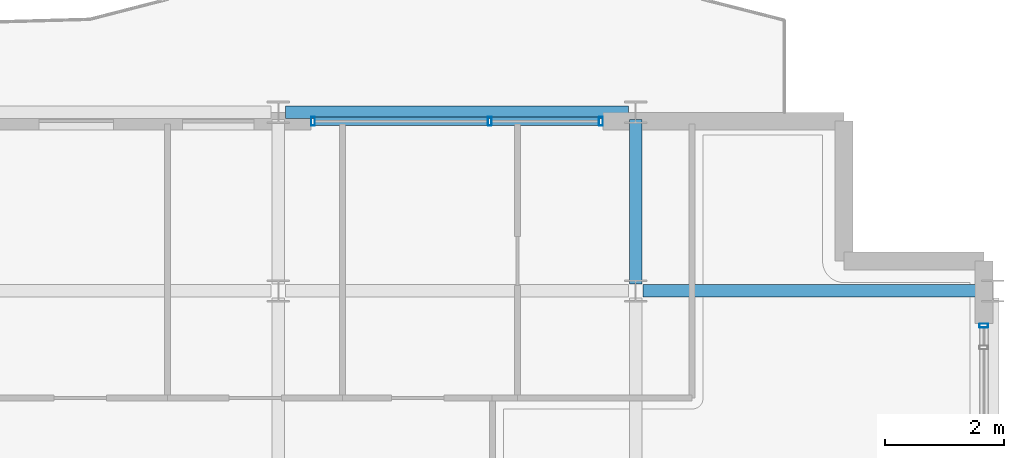
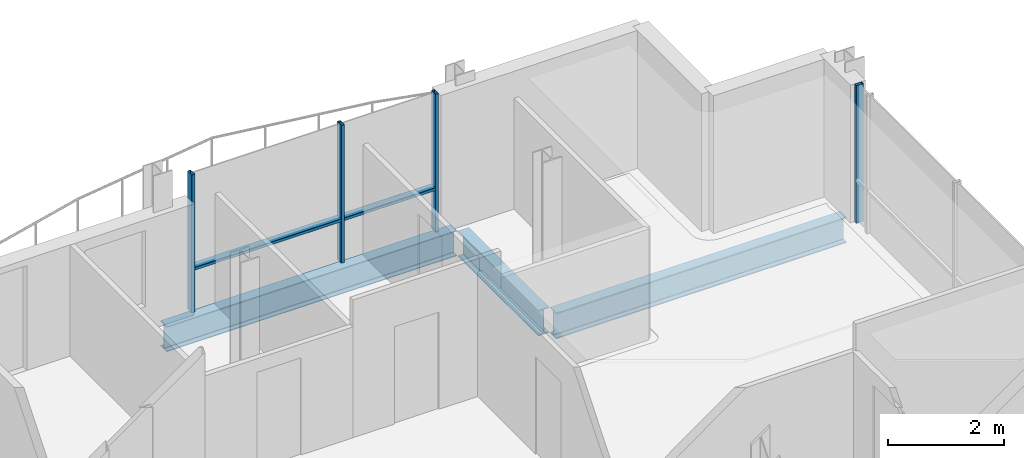
# One storey, part 15 of 29: 6 members, 3 beams, 2 elements without a shape of their own.
"""IFC4 building model written with IfcOpenShell, lengths in metres."""

import ifcopenshell
import ifcopenshell.guid

model = None  # the IFC model being written
_history = None  # IfcOwnerHistory: only IFC2X3 demands one
_inside = {}  # id of a spatial element -> (the spatial element, [elements in it])
_under = {}  # id of a project, library or spatial element -> (it, [spatial elements below it])
_declared = {}  # id of a project -> (the project, [libraries it declares])
_typed = {}  # id of a type object -> (the type object, [elements of that type])
_made_of = {}  # id of a material, layer set ... -> (it, [elements and type objects made of it])


def new_model(schema):
    """Start an empty IFC model of exactly this schema.

    Asked for "IFC4X3", IfcOpenShell would pick the latest addendum, in which some entities
    have other attributes; the version numbers below select the first issue.
    IFC2X3 requires an IfcOwnerHistory on every rooted entity: one is made here for all.
    """
    global model, _history
    if schema == "IFC4X3":
        model = ifcopenshell.file(schema_version=(4, 3, 0, 0))
    else:
        model = ifcopenshell.file(schema=schema)
    _inside.clear()
    _under.clear()
    _declared.clear()
    _typed.clear()
    _made_of.clear()
    _history = None
    if model.schema == "IFC2X3":
        org = make("IfcOrganization", Name="unknown")
        user = make(
            "IfcPersonAndOrganization",
            ThePerson=make("IfcPerson", FamilyName="unknown"),
            TheOrganization=org,
        )
        app = make(
            "IfcApplication",
            ApplicationDeveloper=org,
            Version="unknown",
            ApplicationFullName="unknown",
            ApplicationIdentifier="unknown",
        )
        _history = make(
            "IfcOwnerHistory",
            OwningUser=user,
            OwningApplication=app,
            ChangeAction="ADDED",
            CreationDate=0,
        )
    return model


def make(cls, **values):
    """One entity of the class cls with the attributes given. An attribute that is None is left unset."""
    return model.create_entity(
        cls, **{name: value for name, value in values.items() if value is not None}
    )


def rooted(cls, **values):
    """An entity with a GlobalId (a new one), such as an element, a storey or a relation."""
    return make(cls, GlobalId=ifcopenshell.guid.new(), OwnerHistory=_history, **values)


def si_unit(unit_type, name, prefix=None):
    """IfcSIUnit, for example si_unit("LENGTHUNIT", "METRE", prefix="MILLI")."""
    return make("IfcSIUnit", UnitType=unit_type, Prefix=prefix, Name=name)


def assignment(units):
    """IfcUnitAssignment: the units of a project."""
    return None if units is None else make("IfcUnitAssignment", Units=units)


def point(xyz):
    """IfcCartesianPoint."""
    return None if xyz is None else make("IfcCartesianPoint", Coordinates=xyz)


def direction(xyz):
    """IfcDirection."""
    return None if xyz is None else make("IfcDirection", DirectionRatios=xyz)


def frame(location, z_axis=None, x_axis=None):
    """IfcAxis2Placement3D, a coordinate frame: its origin and axes. An axis left out is left unset."""
    return make(
        "IfcAxis2Placement3D",
        Location=point(location),
        Axis=direction(z_axis),
        RefDirection=direction(x_axis),
    )


def frame_2d(location, x_axis=None):
    """IfcAxis2Placement2D, a coordinate frame in the plane: its origin and x axis."""
    return make(
        "IfcAxis2Placement2D", Location=point(location), RefDirection=direction(x_axis)
    )


def origin():
    """The frame at (0, 0, 0) with its axes left unset."""
    return frame((0.0, 0.0, 0.0))


def origin_2d():
    """The frame at (0, 0) in the plane with its x axis left unset."""
    return frame_2d((0.0, 0.0))


def place(relative_to, where):
    """IfcLocalPlacement: puts the frame where relative to a parent placement (None: the world)."""
    return make(
        "IfcLocalPlacement", PlacementRelTo=relative_to, RelativePlacement=where
    )


def context(
    kind, dimensions, precision=None, world=None, true_north=None, identifier=None
):
    """IfcGeometricRepresentationContext, for example the 3D "Model" context."""
    return make(
        "IfcGeometricRepresentationContext",
        ContextIdentifier=identifier,
        ContextType=kind,
        CoordinateSpaceDimension=dimensions,
        Precision=precision,
        WorldCoordinateSystem=world,
        TrueNorth=true_north,
    )


def subcontext(parent, identifier, kind, view, scale=None):
    """IfcGeometricRepresentationSubContext, for example "Body" below "Model"."""
    return make(
        "IfcGeometricRepresentationSubContext",
        ContextIdentifier=identifier,
        ContextType=kind,
        ParentContext=parent,
        TargetScale=scale,
        TargetView=view,
    )


def project(units=None, contexts=None):
    """IfcProject with its units and contexts."""
    return rooted(
        "IfcProject",
        Name="project",
        RepresentationContexts=contexts,
        UnitsInContext=assignment(units),
    )


def spatial(cls, under=None, at=None, **own):
    """A site, building, storey or space (cls), placed at a placement, below another one or the project."""
    s = rooted(cls, ObjectPlacement=at, **own)
    if under is not None:
        _under.setdefault(under.id(), (under, []))[1].append(s)
    return s


def profile(cls, at=None, kind="AREA", **sizes):
    """A parametric profile (cls). Its sizes go by their IFC names, for example OverallWidth=200.0."""
    return make(cls, ProfileType=kind, Position=at, **sizes)


def hollow_rectangle(**sizes):
    """IfcRectangleHollowProfileDef."""
    return profile("IfcRectangleHollowProfileDef", **sizes)


def i_section(**sizes):
    """IfcIShapeProfileDef."""
    return profile("IfcIShapeProfileDef", **sizes)


def extrude(swept, where, along, depth):
    """IfcExtrudedAreaSolid: the profile swept, set in the frame where, extruded along a direction by depth."""
    return make(
        "IfcExtrudedAreaSolid",
        SweptArea=swept,
        Position=where,
        ExtrudedDirection=direction(along),
        Depth=depth,
    )


def shape(context_of_items, identifier, shape_type, items):
    """IfcShapeRepresentation: the items that make up one representation, for example the "Body"."""
    return make(
        "IfcShapeRepresentation",
        ContextOfItems=context_of_items,
        RepresentationIdentifier=identifier,
        RepresentationType=shape_type,
        Items=items,
    )


def material(Name=None, Category=None):
    """IfcMaterial."""
    return make("IfcMaterial", Name=Name, Category=Category)


def layer(
    of_material, thickness, ventilated=None, Name=None, Category=None, Priority=None
):
    """IfcMaterialLayer: one layer of a wall or slab, of a material (None: an air gap)."""
    return make(
        "IfcMaterialLayer",
        Material=of_material,
        LayerThickness=thickness,
        IsVentilated=ventilated,
        Name=Name,
        Category=Category,
        Priority=Priority,
    )


def layer_set(layers, Name=None):
    """IfcMaterialLayerSet."""
    return make("IfcMaterialLayerSet", MaterialLayers=layers, LayerSetName=Name)


def material_profile(
    of_material, cross_section, Name=None, Category=None, Priority=None
):
    """IfcMaterialProfile: a cross section and its material."""
    return make(
        "IfcMaterialProfile",
        Name=Name,
        Material=of_material,
        Profile=cross_section,
        Priority=Priority,
        Category=Category,
    )


def profile_set(profiles, Name=None, composite=None):
    """IfcMaterialProfileSet."""
    return make(
        "IfcMaterialProfileSet",
        Name=Name,
        MaterialProfiles=profiles,
        CompositeProfile=composite,
    )


def made_of(thing, what):
    """Note that an element or type object is made of a material, layer set ...; save() writes the relation."""
    if what is not None:
        _made_of.setdefault(what.id(), (what, []))[1].append(thing)
    return thing


def type_object(cls, material=None, **own):
    """A type object (cls), such as IfcWallType, which elements share."""
    return made_of(rooted(cls, **own), material)


def element(
    cls,
    number,
    at=None,
    inside=None,
    cuts=None,
    type_object=None,
    material=None,
    context=None,
    identifier="Body",
    shape_type=None,
    held_by="IfcProductDefinitionShape",
    body=None,
    shapes=None,
    **own,
):
    """One element of the class cls, such as IfcWall. Its Tag is "e" and its number.

    at: its placement. inside: the storey or other place that contains it. cuts: it is an
    opening in that element (IfcRelVoidsElement). A single representation is given by context,
    identifier, shape_type and body (its items); several are given by shapes. held_by: the class
    of the entity that holds the representations. save() writes the other relations.
    """
    e = rooted(cls, Tag="e%d" % number, ObjectPlacement=at, **own)
    if body is not None:
        shapes = [shape(context, identifier, shape_type, body)]
    if shapes is not None:
        e.Representation = make(held_by, Representations=shapes)
    if inside is not None:
        _inside.setdefault(inside.id(), (inside, []))[1].append(e)
    if cuts is not None:
        rooted(
            "IfcRelVoidsElement", RelatingBuildingElement=cuts, RelatedOpeningElement=e
        )
    if type_object is not None:
        _typed.setdefault(type_object.id(), (type_object, []))[1].append(e)
    return made_of(e, material)


def aggregate(whole, parts):
    """IfcRelAggregates: a whole, such as a stair, and the parts it consists of."""
    return rooted("IfcRelAggregates", RelatingObject=whole, RelatedObjects=parts)


def save(model, path):
    """Write the relations noted so far, then the file.

    IfcRelAggregates (storeys below a building ...), IfcRelContainedInSpatialStructure (elements
    in a storey), IfcRelDefinesByType, IfcRelAssociatesMaterial and IfcRelDeclares: one each for
    every whole, place, type object, material and project.
    """
    for whole, parts in _under.values():
        aggregate(whole, parts)
    for where, things in _inside.values():
        rooted(
            "IfcRelContainedInSpatialStructure",
            RelatedElements=things,
            RelatingStructure=where,
        )
    for kind, things in _typed.values():
        rooted("IfcRelDefinesByType", RelatedObjects=things, RelatingType=kind)
    for what, things in _made_of.values():
        rooted("IfcRelAssociatesMaterial", RelatedObjects=things, RelatingMaterial=what)
    for by, libraries in _declared.values():
        rooted("IfcRelDeclares", RelatingContext=by, RelatedDefinitions=libraries)
    model.write(path)


model = new_model("IFC4")

# Units and contexts
model_context = context("Model", 3, precision=1e-05, world=origin(), true_north=direction((0.0, 1.0)))
body_context = subcontext(model_context, "Body", "Model", "MODEL_VIEW")
ifc_project = project(units=[si_unit("LENGTHUNIT", "METRE"), si_unit("AREAUNIT", "SQUARE_METRE"), si_unit("VOLUMEUNIT", "CUBIC_METRE"), si_unit("PLANEANGLEUNIT", "RADIAN"), si_unit("MASSUNIT", "GRAM", prefix="KILO")], contexts=[model_context])

# Site, building, storey
site_placement = place(None, origin())
site = spatial("IfcSite", under=ifc_project, at=site_placement, CompositionType="ELEMENT")
building_placement = place(site_placement, origin())
building = spatial("IfcBuilding", under=site, at=building_placement, Name="Brevholm Reach", CompositionType="ELEMENT")
storey_placement = place(building_placement, frame((0.0, 0.0, 208.0)))
storey = spatial("IfcBuildingStorey", under=building, at=storey_placement, Name="L63", CompositionType="ELEMENT", Elevation=208.0)

# Beams
ifc_material_1 = material(Name="Structural Steel S355J2", Category="steel")
ifc_material_profile_1 = material_profile(ifc_material_1, i_section(OverallWidth=0.209228515625, OverallDepth=0.533203125, WebThickness=0.010009765625, FlangeThickness=0.015625, FilletRadius=0.0126953125, at=origin_2d()), Name="UKB 533x210x92")
ifc_profile_set_1 = profile_set([ifc_material_profile_1], Name="Structural Steel S355J2")
beam_type_1 = type_object("IfcBeamType", Name="BM-SP533", PredefinedType="SPANDREL", material=ifc_profile_set_1)
beam_1_placement = place(storey_placement, frame((48.1201171875, 26.5, -0.4765625), z_axis=(1.0, 0.0, 0.0), x_axis=(0.0, 1.0, 0.0)))
element("IfcBeam", 1, at=beam_1_placement, inside=storey, type_object=beam_type_1, Name="L63 SP-02 Framing Beam", PredefinedType="SPANDREL", context=body_context, shape_type="SweptSolid", body=[
    extrude(i_section(OverallWidth=0.209228515625, OverallDepth=0.533203125, WebThickness=0.010009765625, FlangeThickness=0.015625, FilletRadius=0.0126953125, at=origin_2d()), origin(), (0.0, 0.0, 1.0), 5.759765625),
])
ifc_material_2 = material(Name="Structural Steel S355J2", Category="steel")
ifc_material_profile_2 = material_profile(ifc_material_2, i_section(OverallWidth=0.210693359375, OverallDepth=0.53955078125, WebThickness=0.01171875, FlangeThickness=0.018798828125, FilletRadius=0.0126953125, at=origin_2d()), Name="UKB 533x210x109")
ifc_profile_set_2 = profile_set([ifc_material_profile_2], Name="Structural Steel S355J2")
beam_type_2 = type_object("IfcBeamType", Name="BM-SP539", PredefinedType="SPANDREL", material=ifc_profile_set_2)
beam_2_placement = place(storey_placement, frame((54.1201171875, 23.5, -0.479736328125), z_axis=(1.0, 0.0, 0.0), x_axis=(0.0, 1.0, 0.0)))
element("IfcBeam", 2, at=beam_2_placement, inside=storey, type_object=beam_type_2, Name="L63 SP-01B Framing Beam", PredefinedType="SPANDREL", context=body_context, shape_type="SweptSolid", body=[
    extrude(i_section(OverallWidth=0.210693359375, OverallDepth=0.53955078125, WebThickness=0.01171875, FlangeThickness=0.018798828125, FilletRadius=0.0126953125, at=origin_2d()), origin(), (0.0, 0.0, 1.0), 5.759765625),
])
beam_3_placement = place(storey_placement, frame((54.0, 23.6201171875, -0.479736328125), z_axis=(0.0, 1.0, 0.0), x_axis=(-1.0, 0.0, 0.0)))
element("IfcBeam", 3, at=beam_3_placement, inside=storey, type_object=beam_type_2, Name="L63 SP-01B Framing Beam", PredefinedType="SPANDREL", context=body_context, shape_type="SweptSolid", body=[
    extrude(i_section(OverallWidth=0.210693359375, OverallDepth=0.53955078125, WebThickness=0.01171875, FlangeThickness=0.018798828125, FilletRadius=0.0126953125, at=origin_2d()), origin(), (0.0, 0.0, 1.0), 2.759765625),
])

# Curtain wall, member
ifc_material_3 = material(Name="Dark Anodised Aluminium 6063-T6 and Solar-Control Glass", Category="aluminium")
ifc_layer = layer(ifc_material_3, 0.14990234375)
ifc_layer_set = layer_set([ifc_layer], Name="Dark Anodised Aluminium 6063-T6 and Solar-Control Glass")
curtain_wall_type = type_object("IfcCurtainWallType", Name="CW-01", PredefinedType="NOTDEFINED", material=ifc_layer_set)
curtain_wall_1_placement = place(storey_placement, origin())
curtain_wall_1 = element("IfcCurtainWall", 4, at=curtain_wall_1_placement, inside=storey, type_object=curtain_wall_type, Name="L63 Curtain Wall CW-01", PredefinedType="NOTDEFINED")
ifc_material_4 = material(Name="Dark Anodised Aluminium 6063-T6", Category="aluminium")
ifc_material_profile_3 = material_profile(ifc_material_4, hollow_rectangle(XDim=0.06494140625, YDim=0.14990234375, WallThickness=0.0048828125, InnerFilletRadius=0.0048828125, OuterFilletRadius=0.010009765625, at=origin_2d()), Name="RHS 150x65x5")
ifc_profile_set_3 = profile_set([ifc_material_profile_3], Name="Dark Anodised Aluminium 6063-T6")
member_type_1 = type_object("IfcMemberType", Name="CWM-150", PredefinedType="MULLION", material=ifc_profile_set_3)
member_1_placement = place(storey_placement, frame((59.85009765625, 22.91748046875, 0.0), z_axis=(0.0, 0.0, 1.0), x_axis=(0.0, 1.0, 0.0)))
member_1 = element("IfcMember", 5, at=member_1_placement, type_object=member_type_1, Name="CM-150 Mullion 6", PredefinedType="MULLION", context=body_context, shape_type="SweptSolid", body=[
    extrude(hollow_rectangle(XDim=0.06494140625, YDim=0.14990234375, WallThickness=0.0048828125, InnerFilletRadius=0.0048828125, OuterFilletRadius=0.010009765625, at=origin_2d()), origin(), (0.0, 0.0, 1.0), 2.889892578125),
])
aggregate(curtain_wall_1, [member_1])

# Curtain wall, members
curtain_wall_2_placement = place(storey_placement, origin())
curtain_wall_2 = element("IfcCurtainWall", 6, at=curtain_wall_2_placement, inside=storey, type_object=curtain_wall_type, Name="L63 Curtain Wall CW-01", PredefinedType="NOTDEFINED")
member_2_placement = place(storey_placement, frame((48.58251953125, 26.35009765625, 0.0), z_axis=(0.0, 0.0, 1.0), x_axis=(1.0, 0.0, 0.0)))
member_2 = element("IfcMember", 7, at=member_2_placement, type_object=member_type_1, Name="CM-150 Mullion 1", PredefinedType="MULLION", context=body_context, shape_type="SweptSolid", body=[
    extrude(hollow_rectangle(XDim=0.06494140625, YDim=0.14990234375, WallThickness=0.0048828125, InnerFilletRadius=0.0048828125, OuterFilletRadius=0.010009765625, at=origin_2d()), origin(), (0.0, 0.0, 1.0), 2.889892578125),
])
member_3_placement = place(storey_placement, frame((51.550048828125, 26.35009765625, 0.0), z_axis=(0.0, 0.0, 1.0), x_axis=(1.0, 0.0, 0.0)))
member_3 = element("IfcMember", 8, at=member_3_placement, type_object=member_type_1, Name="CM-150 Mullion 2", PredefinedType="MULLION", context=body_context, shape_type="SweptSolid", body=[
    extrude(hollow_rectangle(XDim=0.06494140625, YDim=0.14990234375, WallThickness=0.0048828125, InnerFilletRadius=0.0048828125, OuterFilletRadius=0.010009765625, at=origin_2d()), origin(), (0.0, 0.0, 1.0), 2.889892578125),
])
member_4_placement = place(storey_placement, frame((53.41748046875, 26.35009765625, 0.0), z_axis=(0.0, 0.0, 1.0), x_axis=(1.0, 0.0, 0.0)))
member_4 = element("IfcMember", 9, at=member_4_placement, type_object=member_type_1, Name="CM-150 Mullion 3", PredefinedType="MULLION", context=body_context, shape_type="SweptSolid", body=[
    extrude(hollow_rectangle(XDim=0.06494140625, YDim=0.14990234375, WallThickness=0.0048828125, InnerFilletRadius=0.0048828125, OuterFilletRadius=0.010009765625, at=origin_2d()), origin(), (0.0, 0.0, 1.0), 2.889892578125),
])
ifc_material_5 = material(Name="Dark Anodised Aluminium 6063-T6", Category="aluminium")
ifc_material_profile_4 = material_profile(ifc_material_5, hollow_rectangle(XDim=0.06494140625, YDim=0.14990234375, WallThickness=0.0048828125, InnerFilletRadius=0.0048828125, OuterFilletRadius=0.010009765625, at=origin_2d()), Name="RHS 150x65x5")
ifc_profile_set_4 = profile_set([ifc_material_profile_4], Name="Dark Anodised Aluminium 6063-T6")
member_type_2 = type_object("IfcMemberType", Name="CWT-150", PredefinedType="NOTDEFINED", material=ifc_profile_set_4)
member_5_placement = place(storey_placement, frame((48.614990234375, 26.35009765625, 0.89990234375), z_axis=(1.0, 0.0, 0.0), x_axis=(0.0, 0.0, 1.0)))
member_5 = element("IfcMember", 10, at=member_5_placement, type_object=member_type_2, Name="CT-150 Transom 1.1", ObjectType="TRANSOM", PredefinedType="USERDEFINED", context=body_context, shape_type="SweptSolid", body=[
    extrude(hollow_rectangle(XDim=0.06494140625, YDim=0.14990234375, WallThickness=0.0048828125, InnerFilletRadius=0.0048828125, OuterFilletRadius=0.010009765625, at=origin_2d()), origin(), (0.0, 0.0, 1.0), 2.902587890625),
])
member_6_placement = place(storey_placement, frame((51.58251953125, 26.35009765625, 0.89990234375), z_axis=(1.0, 0.0, 0.0), x_axis=(0.0, 0.0, 1.0)))
member_6 = element("IfcMember", 11, at=member_6_placement, type_object=member_type_2, Name="CT-150 Transom 2.1", ObjectType="TRANSOM", PredefinedType="USERDEFINED", context=body_context, shape_type="SweptSolid", body=[
    extrude(hollow_rectangle(XDim=0.06494140625, YDim=0.14990234375, WallThickness=0.0048828125, InnerFilletRadius=0.0048828125, OuterFilletRadius=0.010009765625, at=origin_2d()), origin(), (0.0, 0.0, 1.0), 1.802490234375),
])
aggregate(curtain_wall_2, [member_2, member_3, member_4, member_5, member_6])

save(model, "model.ifc")
